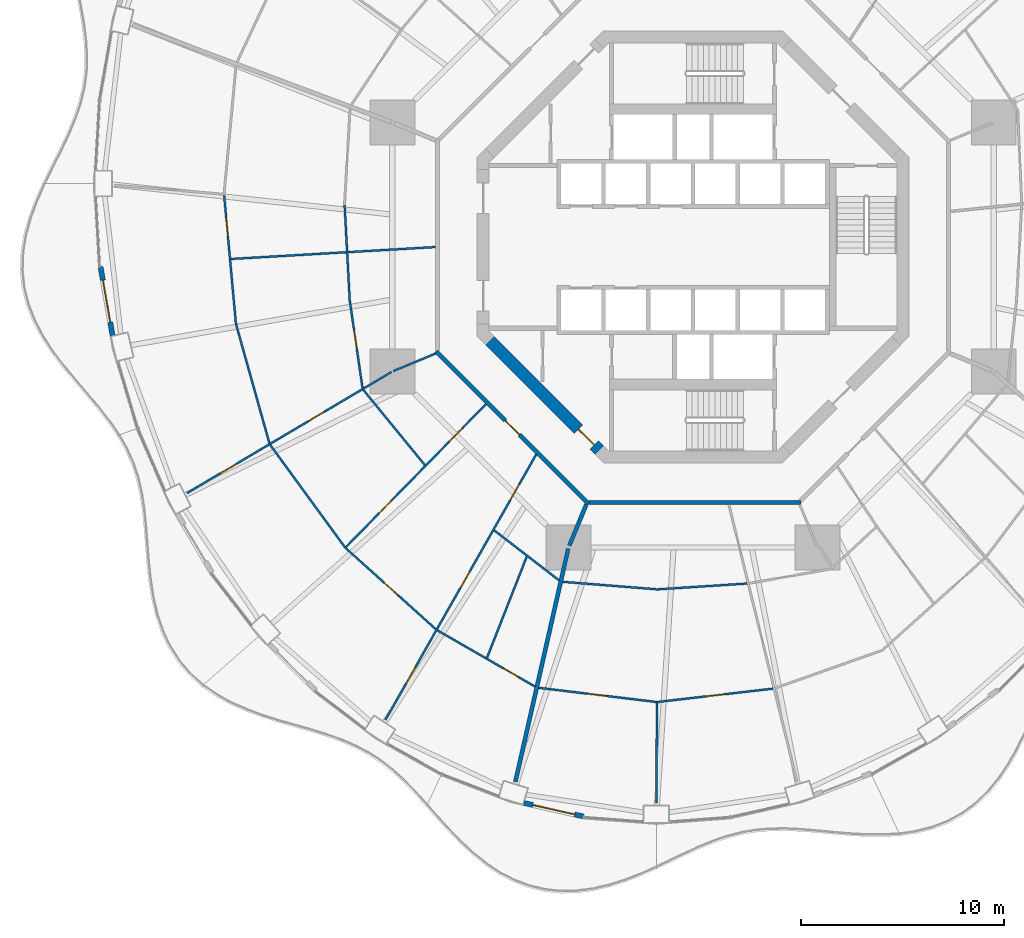
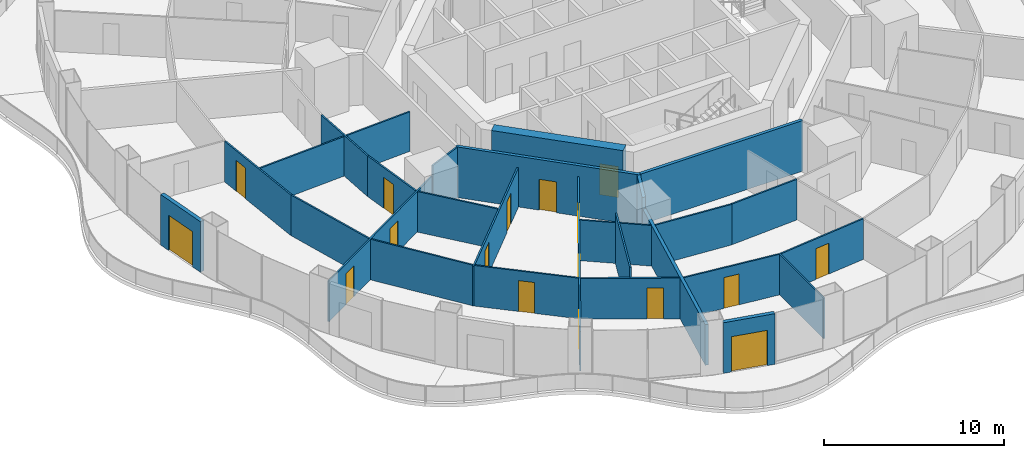
# One storey, part 14 of 22: 27 walls, 17 doors, 17 openings.
"""IFC4 building model written with IfcOpenShell, lengths in metres."""

from ifc_helpers import new_model, si_unit, direction, frame, frame_2d, origin, place, context, subcontext, project, spatial, rectangle, extrude, material, layer, layer_set, type_object, element, fill, save


model = new_model("IFC4")

# Units and contexts
model_context = context("Model", 3, precision=1e-05, world=origin(), true_north=direction((0.0, 1.0)))
body_context = subcontext(model_context, "Body", "Model", "MODEL_VIEW")
ifc_project = project(units=[si_unit("LENGTHUNIT", "METRE"), si_unit("AREAUNIT", "SQUARE_METRE"), si_unit("VOLUMEUNIT", "CUBIC_METRE"), si_unit("PLANEANGLEUNIT", "RADIAN"), si_unit("MASSUNIT", "GRAM", prefix="KILO")], contexts=[model_context])

# Site, building, storey
site_placement = place(None, origin())
site = spatial("IfcSite", under=ifc_project, at=site_placement, CompositionType="ELEMENT")
building_placement = place(site_placement, origin())
building = spatial("IfcBuilding", under=site, at=building_placement, Name="Nagisa Residences", CompositionType="ELEMENT")
storey_placement = place(building_placement, frame((0.0, 0.0, 95.5)))
storey = spatial("IfcBuildingStorey", under=building, at=storey_placement, Name="L23", CompositionType="ELEMENT", Elevation=95.5)

# Walls
ifc_material_1 = material(Name="Gypsum board on steel studs", Category="steel")
ifc_layer_1 = layer(ifc_material_1, 0.199951171875)
ifc_layer_set_1 = layer_set([ifc_layer_1], Name="Apartment compartment wall EI60 200")
wall_type_1 = type_object("IfcWallType", Name="Apartment compartment wall EI60 200", PredefinedType="PARTITIONING", material=ifc_layer_set_1)
wall_1_placement = place(storey_placement, frame((-5.24267578125, -12.6572265625, 0.0), z_axis=(0.0, 0.0, 1.0), x_axis=(-0.382668627144, -0.923885664896, 0.0)))
element("IfcWall", 1, at=wall_1_placement, inside=storey, type_object=wall_type_1, Name="wall:L23:u06", PredefinedType="PARTITIONING", context=body_context, shape_type="SweptSolid", body=[
    extrude(rectangle(XDim=2.200439453125, YDim=0.199951171875, at=frame_2d((1.10009765625, 0.0))), origin(), (0.0, 0.0, 1.0), 3.43994140625),
])
wall_2_placement = place(storey_placement, frame((-6.134033203125, -14.830810546875, 0.0), z_axis=(0.0, 0.0, 1.0), x_axis=(-0.221225405869, -0.975222702667, 0.0)))
element("IfcWall", 2, at=wall_2_placement, inside=storey, type_object=wall_type_1, Name="wall:L23:u07", PredefinedType="PARTITIONING", context=body_context, shape_type="SweptSolid", body=[
    extrude(rectangle(XDim=11.760986328125, YDim=0.199951171875, at=frame_2d((5.88037109375, 0.0))), origin(), (0.0, 0.0, 1.0), 2.761962890625),
])

# Wall, opening, door
ifc_material_2 = material(Name="Gypsum board on steel studs", Category="steel")
ifc_layer_2 = layer(ifc_material_2, 0.199951171875)
ifc_layer_set_2 = layer_set([ifc_layer_2], Name="Apartment entry wall EI60 200")
wall_type_2 = type_object("IfcWallType", Name="Apartment entry wall EI60 200", PredefinedType="PARTITIONING", material=ifc_layer_set_2)
wall_3_placement = place(storey_placement, frame((-12.635498046875, -5.1337890625, 0.0), z_axis=(0.0, 0.0, 1.0), x_axis=(0.707106781187, -0.707106781187, 0.0)))
wall_3 = element("IfcWall", 3, at=wall_3_placement, inside=storey, type_object=wall_type_2, Name="wall:L23:u15", PredefinedType="PARTITIONING", context=body_context, shape_type="SweptSolid", body=[
    extrude(rectangle(XDim=10.609130859375, YDim=0.199951171875, at=frame_2d((5.3046875, 0.0))), origin(), (0.0, 0.0, 1.0), 3.43994140625),
])
opening_1_placement = place(wall_3_placement, frame((4.804443359375, 0.0, 0.0)))
opening_1 = element("IfcOpeningElement", 4, at=opening_1_placement, cuts=wall_3, Name="Opening L23-U01", PredefinedType="OPENING", context=body_context, shape_type="SweptSolid", body=[
    extrude(rectangle(XDim=1.0, YDim=2.10009765625, at=frame_2d((0.5, 1.050048828125))), frame((0.0, 0.10986328125, 0.0), z_axis=(0.0, -1.0, 0.0), x_axis=(1.0, 0.0, 0.0)), (0.0, 0.0, 1.0), 0.219970703125),
])
ifc_material_3 = material(Name="Timber fire door set", Category="wood")
door_type_1 = type_object("IfcDoorType", Name="Apartment entry door FD30S 1000x2100", OperationType="NOTDEFINED", PredefinedType="DOOR", material=ifc_material_3)
door_1_placement = place(opening_1_placement, frame((1.0, 0.0, 0.0), x_axis=(-1.0, 0.0, 0.0)))
door_1 = element("IfcDoor", 5, at=door_1_placement, inside=storey, type_object=door_type_1, Name="Entry door, Apartment 23A", OperationType="SINGLE_SWING_RIGHT", OverallHeight=2.10009765625, OverallWidth=1.0, PredefinedType="DOOR", context=body_context, shape_type="SweptSolid", body=[
    extrude(rectangle(XDim=1.0, YDim=2.10009765625, at=frame_2d((0.5, 1.050048828125))), frame((0.0, 0.02490234375, 0.0), z_axis=(0.0, -1.0, 0.0), x_axis=(1.0, 0.0, 0.0)), (0.0, 0.0, 1.0), 0.050048828125),
])
fill(opening_1, door_1)

# Walls
wall_4_placement = place(storey_placement, frame((-5.1044921875, -12.564697265625, 0.0), z_axis=(0.0, 0.0, 1.0), x_axis=(1.0, 0.0, 0.0)))
element("IfcWall", 6, at=wall_4_placement, inside=storey, type_object=wall_type_2, Name="wall:L23:u16", PredefinedType="PARTITIONING", context=body_context, shape_type="SweptSolid", body=[
    extrude(rectangle(XDim=10.408935546875, YDim=0.199951171875, at=frame_2d((5.20458984375, 0.0))), origin(), (0.0, 0.0, 1.0), 3.43994140625),
])
ifc_material_4 = material(Name="Gypsum board on steel studs", Category="steel")
ifc_layer_3 = layer(ifc_material_4, 0.10009765625)
ifc_layer_set_3 = layer_set([ifc_layer_3], Name="Apartment partition 100")
wall_type_3 = type_object("IfcWallType", Name="Apartment partition 100", PredefinedType="PARTITIONING", material=ifc_layer_set_3)
wall_5_placement = place(storey_placement, frame((-17.13330078125, 2.058349609375, 0.0), z_axis=(0.0, 0.0, 1.0), x_axis=(0.053747728717, -0.99855454616, 0.0)))
element("IfcWall", 7, at=wall_5_placement, inside=storey, type_object=wall_type_3, Name="wall:L23:u56", PredefinedType="PARTITIONING", context=body_context, shape_type="SweptSolid", body=[
    extrude(rectangle(XDim=4.7421875, YDim=0.10009765625, at=frame_2d((2.37109375, 0.0))), origin(), (0.0, 0.0, 1.0), 2.761962890625),
])

# Wall, opening, door
wall_6_placement = place(storey_placement, frame((-23.056884765625, 2.54248046875, 0.0), z_axis=(0.0, 0.0, 1.0), x_axis=(0.091364304609, -0.995817535417, 0.0)))
wall_6 = element("IfcWall", 8, at=wall_6_placement, inside=storey, type_object=wall_type_3, Name="wall:L23:u58", PredefinedType="PARTITIONING", context=body_context, shape_type="SweptSolid", body=[
    extrude(rectangle(XDim=6.402587890625, YDim=0.10009765625, at=frame_2d((3.201171875, 0.0))), origin(), (0.0, 0.0, 1.0), 2.761962890625),
])
opening_2_placement = place(wall_6_placement, frame((1.12548828125, 0.0, 0.0)))
opening_2 = element("IfcOpeningElement", 9, at=opening_2_placement, cuts=wall_6, Name="Opening L23-U12", PredefinedType="OPENING", context=body_context, shape_type="SweptSolid", body=[
    extrude(rectangle(XDim=0.89990234375, YDim=2.10009765625, at=frame_2d((0.449951171875, 1.050048828125))), frame((0.0, 0.06005859375, 0.0), z_axis=(0.0, -1.0, 0.0), x_axis=(1.0, 0.0, 0.0)), (0.0, 0.0, 1.0), 0.1201171875),
])
ifc_material_5 = material(Name="Timber door set", Category="wood")
door_type_2 = type_object("IfcDoorType", Name="Apartment door 900x2100", OperationType="NOTDEFINED", PredefinedType="DOOR", material=ifc_material_5)
door_2_placement = place(opening_2_placement, origin())
door_2 = element("IfcDoor", 10, at=door_2_placement, inside=storey, type_object=door_type_2, Name="Door to dining room, Apartment 23A", OperationType="SINGLE_SWING_RIGHT", OverallHeight=2.10009765625, OverallWidth=0.89990234375, PredefinedType="DOOR", context=body_context, shape_type="SweptSolid", body=[
    extrude(rectangle(XDim=0.89990234375, YDim=2.10009765625, at=frame_2d((0.449951171875, 1.050048828125))), frame((0.0, 0.02490234375, 0.0), z_axis=(0.0, -1.0, 0.0), x_axis=(1.0, 0.0, 0.0)), (0.0, 0.0, 1.0), 0.050048828125),
])
fill(opening_2, door_2)

# Wall
wall_7_placement = place(storey_placement, frame((-12.66455078125, -0.005859375, 0.0), z_axis=(0.0, 0.0, 1.0), x_axis=(-0.998300603128, -0.058274400843, 0.0)))
element("IfcWall", 11, at=wall_7_placement, inside=storey, type_object=wall_type_3, Name="wall:L23:u59", PredefinedType="PARTITIONING", context=body_context, shape_type="SweptSolid", body=[
    extrude(rectangle(XDim=10.071533203125, YDim=0.10009765625, at=frame_2d((5.03564453125, 0.0))), origin(), (0.0, 0.0, 1.0), 2.68701171875),
])

# Wall, opening, door
wall_8_placement = place(storey_placement, frame((-16.8740234375, -2.676513671875, 0.0), z_axis=(0.0, 0.0, 1.0), x_axis=(0.144260658133, -0.989539722555, 0.0)))
wall_8 = element("IfcWall", 12, at=wall_8_placement, inside=storey, type_object=wall_type_3, Name="wall:L23:u60", PredefinedType="PARTITIONING", context=body_context, shape_type="SweptSolid", body=[
    extrude(rectangle(XDim=4.308837890625, YDim=0.10009765625, at=frame_2d((2.154296875, 0.0))), origin(), (0.0, 0.0, 1.0), 2.761962890625),
])
opening_3_placement = place(wall_8_placement, frame((1.43359375, 0.0, 0.0)))
opening_3 = element("IfcOpeningElement", 13, at=opening_3_placement, cuts=wall_8, Name="Opening L23-U11", PredefinedType="OPENING", context=body_context, shape_type="SweptSolid", body=[
    extrude(rectangle(XDim=0.89990234375, YDim=2.10009765625, at=frame_2d((0.449951171875, 1.050048828125))), frame((0.0, 0.06005859375, 0.0), z_axis=(0.0, -1.0, 0.0), x_axis=(1.0, 0.0, 0.0)), (0.0, 0.0, 1.0), 0.1201171875),
])
door_3_placement = place(opening_3_placement, origin())
door_3 = element("IfcDoor", 14, at=door_3_placement, inside=storey, type_object=door_type_2, Name="Door to store, Apartment 23A", OperationType="SINGLE_SWING_LEFT", OverallHeight=2.10009765625, OverallWidth=0.89990234375, PredefinedType="DOOR", context=body_context, shape_type="SweptSolid", body=[
    extrude(rectangle(XDim=0.89990234375, YDim=2.10009765625, at=frame_2d((0.449951171875, 1.050048828125))), frame((0.0, 0.02490234375, 0.0), z_axis=(0.0, -1.0, 0.0), x_axis=(1.0, 0.0, 0.0)), (0.0, 0.0, 1.0), 0.050048828125),
])
fill(opening_3, door_3)

# Walls
wall_9_placement = place(storey_placement, frame((-22.462890625, -3.83154296875, 0.0), z_axis=(0.0, 0.0, 1.0), x_axis=(0.269797759333, -0.962917010473, 0.0)))
element("IfcWall", 15, at=wall_9_placement, inside=storey, type_object=wall_type_3, Name="wall:L23:u61", PredefinedType="PARTITIONING", context=body_context, shape_type="SweptSolid", body=[
    extrude(rectangle(XDim=6.04296875, YDim=0.10009765625, at=frame_2d((3.021484375, 0.0))), origin(), (0.0, 0.0, 1.0), 2.761962890625),
])
wall_10_placement = place(storey_placement, frame((-12.6572265625, -5.24267578125, 0.0), z_axis=(0.0, 0.0, 1.0), x_axis=(-0.923848837015, -0.382757529444, 0.0)))
element("IfcWall", 16, at=wall_10_placement, inside=storey, type_object=wall_type_3, Name="wall:L23:u62", PredefinedType="PARTITIONING", context=body_context, shape_type="SweptSolid", body=[
    extrude(rectangle(XDim=2.249755859375, YDim=0.10009765625, at=frame_2d((1.125, 0.0))), origin(), (0.0, 0.0, 1.0), 3.43994140625),
])

# Wall, openings, doors
wall_11_placement = place(storey_placement, frame((-14.824951171875, -6.1484375, 0.0), z_axis=(0.0, 0.0, 1.0), x_axis=(-0.860400431487, -0.509618580408, 0.0)))
wall_11 = element("IfcWall", 17, at=wall_11_placement, inside=storey, type_object=wall_type_3, Name="wall:L23:u63", PredefinedType="PARTITIONING", context=body_context, shape_type="SweptSolid", body=[
    extrude(rectangle(XDim=11.687744140625, YDim=0.10009765625, at=frame_2d((5.84375, 0.0))), origin(), (0.0, 0.0, 1.0), 2.761962890625),
])
opening_4_placement = place(wall_11_placement, frame((3.8583984375, 0.0, 0.0)))
opening_4 = element("IfcOpeningElement", 18, at=opening_4_placement, cuts=wall_11, Name="Opening L23-U08", PredefinedType="OPENING", context=body_context, shape_type="SweptSolid", body=[
    extrude(rectangle(XDim=0.89990234375, YDim=2.10009765625, at=frame_2d((0.449951171875, 1.050048828125))), frame((0.0, 0.06005859375, 0.0), z_axis=(0.0, -1.0, 0.0), x_axis=(1.0, 0.0, 0.0)), (0.0, 0.0, 1.0), 0.1201171875),
])
opening_5_placement = place(wall_11_placement, frame((8.876953125, 0.0, 0.0)))
opening_5 = element("IfcOpeningElement", 19, at=opening_5_placement, cuts=wall_11, Name="Opening L23-U10", PredefinedType="OPENING", context=body_context, shape_type="SweptSolid", body=[
    extrude(rectangle(XDim=0.89990234375, YDim=2.10009765625, at=frame_2d((0.449951171875, 1.050048828125))), frame((0.0, 0.06005859375, 0.0), z_axis=(0.0, -1.0, 0.0), x_axis=(1.0, 0.0, 0.0)), (0.0, 0.0, 1.0), 0.1201171875),
])
door_4_placement = place(opening_4_placement, frame((0.89990234375, 0.0, 0.0), x_axis=(-1.0, 0.0, 0.0)))
door_4 = element("IfcDoor", 20, at=door_4_placement, inside=storey, type_object=door_type_2, Name="Door to kitchen, Apartment 23A", OperationType="SINGLE_SWING_LEFT", OverallHeight=2.10009765625, OverallWidth=0.89990234375, PredefinedType="DOOR", context=body_context, shape_type="SweptSolid", body=[
    extrude(rectangle(XDim=0.89990234375, YDim=2.10009765625, at=frame_2d((0.449951171875, 1.050048828125))), frame((0.0, 0.02490234375, 0.0), z_axis=(0.0, -1.0, 0.0), x_axis=(1.0, 0.0, 0.0)), (0.0, 0.0, 1.0), 0.050048828125),
])
fill(opening_4, door_4)
door_5_placement = place(opening_5_placement, frame((0.89990234375, 0.0, 0.0), x_axis=(-1.0, 0.0, 0.0)))
door_5 = element("IfcDoor", 21, at=door_5_placement, inside=storey, type_object=door_type_2, Name="Door to living room, Apartment 23A", OperationType="SINGLE_SWING_LEFT", OverallHeight=2.10009765625, OverallWidth=0.89990234375, PredefinedType="DOOR", context=body_context, shape_type="SweptSolid", body=[
    extrude(rectangle(XDim=0.89990234375, YDim=2.10009765625, at=frame_2d((0.449951171875, 1.050048828125))), frame((0.0, 0.02490234375, 0.0), z_axis=(0.0, -1.0, 0.0), x_axis=(1.0, 0.0, 0.0)), (0.0, 0.0, 1.0), 0.050048828125),
])
fill(opening_5, door_5)

# Walls
wall_12_placement = place(storey_placement, frame((-16.213623046875, -7.0283203125, 0.0), z_axis=(0.0, 0.0, 1.0), x_axis=(0.633396341139, -0.773827548639, 0.0)))
element("IfcWall", 22, at=wall_12_placement, inside=storey, type_object=wall_type_3, Name="wall:L23:u64", PredefinedType="PARTITIONING", context=body_context, shape_type="SweptSolid", body=[
    extrude(rectangle(XDim=4.779052734375, YDim=0.10009765625, at=frame_2d((2.3896484375, 0.0))), origin(), (0.0, 0.0, 1.0), 2.761962890625),
])
wall_13_placement = place(storey_placement, frame((-20.78955078125, -9.739013671875, 0.0), z_axis=(0.0, 0.0, 1.0), x_axis=(0.589611246748, -0.807687178126, 0.0)))
element("IfcWall", 23, at=wall_13_placement, inside=storey, type_object=wall_type_3, Name="wall:L23:u65", PredefinedType="PARTITIONING", context=body_context, shape_type="SweptSolid", body=[
    extrude(rectangle(XDim=6.207763671875, YDim=0.10009765625, at=frame_2d((3.10400390625, 0.0))), origin(), (0.0, 0.0, 1.0), 2.761962890625),
])

# Wall, openings, doors
wall_14_placement = place(storey_placement, frame((-10.181396484375, -7.729248046875, 0.0), z_axis=(0.0, 0.0, 1.0), x_axis=(-0.699710752188, -0.714426247609, 0.0)))
wall_14 = element("IfcWall", 24, at=wall_14_placement, inside=storey, type_object=wall_type_3, Name="wall:L23:u66", PredefinedType="PARTITIONING", context=body_context, shape_type="SweptSolid", body=[
    extrude(rectangle(XDim=9.937744140625, YDim=0.10009765625, at=frame_2d((4.96875, 0.0))), origin(), (0.0, 0.0, 1.0), 2.68701171875),
])
opening_6_placement = place(wall_14_placement, frame((1.6748046875, 0.0, 0.0)))
opening_6 = element("IfcOpeningElement", 25, at=opening_6_placement, cuts=wall_14, Name="Opening L23-U02", PredefinedType="OPENING", context=body_context, shape_type="SweptSolid", body=[
    extrude(rectangle(XDim=0.89990234375, YDim=2.10009765625, at=frame_2d((0.449951171875, 1.050048828125))), frame((0.0, 0.06005859375, 0.0), z_axis=(0.0, -1.0, 0.0), x_axis=(1.0, 0.0, 0.0)), (0.0, 0.0, 1.0), 0.1201171875),
])
opening_7_placement = place(wall_14_placement, frame((6.61865234375, 0.0, 0.0)))
opening_7 = element("IfcOpeningElement", 26, at=opening_7_placement, cuts=wall_14, Name="Opening L23-U04", PredefinedType="OPENING", context=body_context, shape_type="SweptSolid", body=[
    extrude(rectangle(XDim=0.89990234375, YDim=2.10009765625, at=frame_2d((0.449951171875, 1.050048828125))), frame((0.0, 0.06005859375, 0.0), z_axis=(0.0, -1.0, 0.0), x_axis=(1.0, 0.0, 0.0)), (0.0, 0.0, 1.0), 0.1201171875),
])
door_6_placement = place(opening_6_placement, frame((0.89990234375, 0.0, 0.0), x_axis=(-1.0, 0.0, 0.0)))
door_6 = element("IfcDoor", 27, at=door_6_placement, inside=storey, type_object=door_type_2, Name="Door to family bathroom, Apartment 23A", OperationType="SINGLE_SWING_LEFT", OverallHeight=2.10009765625, OverallWidth=0.89990234375, PredefinedType="DOOR", context=body_context, shape_type="SweptSolid", body=[
    extrude(rectangle(XDim=0.89990234375, YDim=2.10009765625, at=frame_2d((0.449951171875, 1.050048828125))), frame((0.0, 0.02490234375, 0.0), z_axis=(0.0, -1.0, 0.0), x_axis=(1.0, 0.0, 0.0)), (0.0, 0.0, 1.0), 0.050048828125),
])
fill(opening_6, door_6)
door_7_placement = place(opening_7_placement, frame((0.89990234375, 0.0, 0.0), x_axis=(-1.0, 0.0, 0.0)))
door_7 = element("IfcDoor", 28, at=door_7_placement, inside=storey, type_object=door_type_2, Name="Door to study, Apartment 23A", OperationType="SINGLE_SWING_LEFT", OverallHeight=2.10009765625, OverallWidth=0.89990234375, PredefinedType="DOOR", context=body_context, shape_type="SweptSolid", body=[
    extrude(rectangle(XDim=0.89990234375, YDim=2.10009765625, at=frame_2d((0.449951171875, 1.050048828125))), frame((0.0, 0.02490234375, 0.0), z_axis=(0.0, -1.0, 0.0), x_axis=(1.0, 0.0, 0.0)), (0.0, 0.0, 1.0), 0.050048828125),
])
fill(opening_7, door_7)

# Wall, opening, door
wall_15_placement = place(storey_placement, frame((-17.062744140625, -14.826904296875, 0.0), z_axis=(0.0, 0.0, 1.0), x_axis=(0.743478142868, -0.668760234373, 0.0)))
wall_15 = element("IfcWall", 29, at=wall_15_placement, inside=storey, type_object=wall_type_3, Name="wall:L23:u67", PredefinedType="PARTITIONING", context=body_context, shape_type="SweptSolid", body=[
    extrude(rectangle(XDim=5.93701171875, YDim=0.10009765625, at=frame_2d((2.968505859375, 0.0))), origin(), (0.0, 0.0, 1.0), 2.761962890625),
])
opening_8_placement = place(wall_15_placement, frame((2.5185546875, 0.0, 0.0)))
opening_8 = element("IfcOpeningElement", 30, at=opening_8_placement, cuts=wall_15, Name="Opening L23-U06", PredefinedType="OPENING", context=body_context, shape_type="SweptSolid", body=[
    extrude(rectangle(XDim=0.89990234375, YDim=2.10009765625, at=frame_2d((0.449951171875, 1.050048828125))), frame((0.0, 0.06005859375, 0.0), z_axis=(0.0, -1.0, 0.0), x_axis=(1.0, 0.0, 0.0)), (0.0, 0.0, 1.0), 0.1201171875),
])
door_8_placement = place(opening_8_placement, frame((0.89990234375, 0.0, 0.0), x_axis=(-1.0, 0.0, 0.0)))
door_8 = element("IfcDoor", 31, at=door_8_placement, inside=storey, type_object=door_type_2, Name="Door to family room, Apartment 23A", OperationType="SINGLE_SWING_LEFT", OverallHeight=2.10009765625, OverallWidth=0.89990234375, PredefinedType="DOOR", context=body_context, shape_type="SweptSolid", body=[
    extrude(rectangle(XDim=0.89990234375, YDim=2.10009765625, at=frame_2d((0.449951171875, 1.050048828125))), frame((0.0, 0.02490234375, 0.0), z_axis=(0.0, -1.0, 0.0), x_axis=(1.0, 0.0, 0.0)), (0.0, 0.0, 1.0), 0.050048828125),
])
fill(opening_8, door_8)

# Wall, openings, doors
wall_16_placement = place(storey_placement, frame((-7.707275390625, -10.1982421875, 0.0), z_axis=(0.0, 0.0, 1.0), x_axis=(-0.49395524734, -0.869487328042, 0.0)))
wall_16 = element("IfcWall", 32, at=wall_16_placement, inside=storey, type_object=wall_type_3, Name="wall:L23:u68", PredefinedType="PARTITIONING", context=body_context, shape_type="SweptSolid", body=[
    extrude(rectangle(XDim=15.02490234375, YDim=0.10009765625, at=frame_2d((7.512451171875, 0.0))), origin(), (0.0, 0.0, 1.0), 2.68701171875),
])
opening_9_placement = place(wall_16_placement, frame((1.68359375, 0.0, 0.0)))
opening_9 = element("IfcOpeningElement", 33, at=opening_9_placement, cuts=wall_16, Name="Opening L23-U03", PredefinedType="OPENING", context=body_context, shape_type="SweptSolid", body=[
    extrude(rectangle(XDim=0.89990234375, YDim=2.10009765625, at=frame_2d((0.449951171875, 1.050048828125))), frame((0.0, 0.06005859375, 0.0), z_axis=(0.0, -1.0, 0.0), x_axis=(1.0, 0.0, 0.0)), (0.0, 0.0, 1.0), 0.1201171875),
])
opening_10_placement = place(wall_16_placement, frame((6.647705078125, 0.0, 0.0)))
opening_10 = element("IfcOpeningElement", 34, at=opening_10_placement, cuts=wall_16, Name="Opening L23-U05", PredefinedType="OPENING", context=body_context, shape_type="SweptSolid", body=[
    extrude(rectangle(XDim=0.89990234375, YDim=2.10009765625, at=frame_2d((0.449951171875, 1.050048828125))), frame((0.0, 0.06005859375, 0.0), z_axis=(0.0, -1.0, 0.0), x_axis=(1.0, 0.0, 0.0)), (0.0, 0.0, 1.0), 0.1201171875),
])
opening_11_placement = place(wall_16_placement, frame((12.026611328125, 0.0, 0.0)))
opening_11 = element("IfcOpeningElement", 35, at=opening_11_placement, cuts=wall_16, Name="Opening L23-U07", PredefinedType="OPENING", context=body_context, shape_type="SweptSolid", body=[
    extrude(rectangle(XDim=0.89990234375, YDim=2.10009765625, at=frame_2d((0.449951171875, 1.050048828125))), frame((0.0, 0.06005859375, 0.0), z_axis=(0.0, -1.0, 0.0), x_axis=(1.0, 0.0, 0.0)), (0.0, 0.0, 1.0), 0.1201171875),
])
door_9_placement = place(opening_9_placement, origin())
door_9 = element("IfcDoor", 36, at=door_9_placement, inside=storey, type_object=door_type_2, Name="Door to family bathroom, Apartment 23A", OperationType="SINGLE_SWING_LEFT", OverallHeight=2.10009765625, OverallWidth=0.89990234375, PredefinedType="DOOR", context=body_context, shape_type="SweptSolid", body=[
    extrude(rectangle(XDim=0.89990234375, YDim=2.10009765625, at=frame_2d((0.449951171875, 1.050048828125))), frame((0.0, 0.02490234375, 0.0), z_axis=(0.0, -1.0, 0.0), x_axis=(1.0, 0.0, 0.0)), (0.0, 0.0, 1.0), 0.050048828125),
])
fill(opening_9, door_9)
door_10_placement = place(opening_10_placement, origin())
door_10 = element("IfcDoor", 37, at=door_10_placement, inside=storey, type_object=door_type_2, Name="Door to family bathroom, Apartment 23A", OperationType="SINGLE_SWING_LEFT", OverallHeight=2.10009765625, OverallWidth=0.89990234375, PredefinedType="DOOR", context=body_context, shape_type="SweptSolid", body=[
    extrude(rectangle(XDim=0.89990234375, YDim=2.10009765625, at=frame_2d((0.449951171875, 1.050048828125))), frame((0.0, 0.02490234375, 0.0), z_axis=(0.0, -1.0, 0.0), x_axis=(1.0, 0.0, 0.0)), (0.0, 0.0, 1.0), 0.050048828125),
])
fill(opening_10, door_10)
door_11_placement = place(opening_11_placement, origin())
door_11 = element("IfcDoor", 38, at=door_11_placement, inside=storey, type_object=door_type_2, Name="Door to master bedroom, Apartment 23A", OperationType="SINGLE_SWING_LEFT", OverallHeight=2.10009765625, OverallWidth=0.89990234375, PredefinedType="DOOR", context=body_context, shape_type="SweptSolid", body=[
    extrude(rectangle(XDim=0.89990234375, YDim=2.10009765625, at=frame_2d((0.449951171875, 1.050048828125))), frame((0.0, 0.02490234375, 0.0), z_axis=(0.0, -1.0, 0.0), x_axis=(1.0, 0.0, 0.0)), (0.0, 0.0, 1.0), 0.050048828125),
])
fill(opening_11, door_11)

# Wall
wall_17_placement = place(storey_placement, frame((-9.775390625, -13.93896484375, 0.0), z_axis=(0.0, 0.0, 1.0), x_axis=(0.792162117554, -0.610310723741, 0.0)))
element("IfcWall", 39, at=wall_17_placement, inside=storey, type_object=wall_type_3, Name="wall:L23:u69", PredefinedType="PARTITIONING", context=body_context, shape_type="SweptSolid", body=[
    extrude(rectangle(XDim=4.0302734375, YDim=0.10009765625, at=frame_2d((2.01513671875, 0.0))), origin(), (0.0, 0.0, 1.0), 2.761962890625),
])

# Wall, opening, door
wall_18_placement = place(storey_placement, frame((-12.568115234375, -18.855712890625, 0.0), z_axis=(0.0, 0.0, 1.0), x_axis=(0.866533437451, -0.499119025664, 0.0)))
wall_18 = element("IfcWall", 40, at=wall_18_placement, inside=storey, type_object=wall_type_3, Name="wall:L23:u70", PredefinedType="PARTITIONING", context=body_context, shape_type="SweptSolid", body=[
    extrude(rectangle(XDim=5.53515625, YDim=0.10009765625, at=frame_2d((2.767578125, 0.0))), origin(), (0.0, 0.0, 1.0), 2.761962890625),
])
opening_12_placement = place(wall_18_placement, frame((3.7138671875, 0.0, 0.0)))
opening_12 = element("IfcOpeningElement", 41, at=opening_12_placement, cuts=wall_18, Name="Opening L23-U09", PredefinedType="OPENING", context=body_context, shape_type="SweptSolid", body=[
    extrude(rectangle(XDim=0.89990234375, YDim=2.10009765625, at=frame_2d((0.449951171875, 1.050048828125))), frame((0.0, 0.06005859375, 0.0), z_axis=(0.0, -1.0, 0.0), x_axis=(1.0, 0.0, 0.0)), (0.0, 0.0, 1.0), 0.1201171875),
])
door_12_placement = place(opening_12_placement, origin())
door_12 = element("IfcDoor", 42, at=door_12_placement, inside=storey, type_object=door_type_2, Name="Door to en-suite bathroom, Apartment 23A", OperationType="SINGLE_SWING_LEFT", OverallHeight=2.10009765625, OverallWidth=0.89990234375, PredefinedType="DOOR", context=body_context, shape_type="SweptSolid", body=[
    extrude(rectangle(XDim=0.89990234375, YDim=2.10009765625, at=frame_2d((0.449951171875, 1.050048828125))), frame((0.0, 0.02490234375, 0.0), z_axis=(0.0, -1.0, 0.0), x_axis=(1.0, 0.0, 0.0)), (0.0, 0.0, 1.0), 0.050048828125),
])
fill(opening_12, door_12)

# Walls
wall_19_placement = place(storey_placement, frame((-8.177490234375, -15.230712890625, 0.0), z_axis=(0.0, 0.0, 1.0), x_axis=(-0.365520869553, -0.930803144559, 0.0)))
element("IfcWall", 43, at=wall_19_placement, inside=storey, type_object=wall_type_3, Name="wall:L23:u71", PredefinedType="PARTITIONING", context=body_context, shape_type="SweptSolid", body=[
    extrude(rectangle(XDim=5.342041015625, YDim=0.10009765625, at=frame_2d((2.6708984375, 0.0))), origin(), (0.0, 0.0, 1.0), 3.43994140625),
])
wall_20_placement = place(storey_placement, frame((-6.40380859375, -16.467529296875, 0.0), z_axis=(0.0, 0.0, 1.0), x_axis=(0.996817253426, -0.079720532316, 0.0)))
element("IfcWall", 44, at=wall_20_placement, inside=storey, type_object=wall_type_3, Name="wall:L23:u72", PredefinedType="PARTITIONING", context=body_context, shape_type="SweptSolid", body=[
    extrude(rectangle(XDim=4.716064453125, YDim=0.10009765625, at=frame_2d((2.35791015625, 0.0))), origin(), (0.0, 0.0, 1.0), 2.761962890625),
])

# Wall, opening, door
wall_21_placement = place(storey_placement, frame((-7.5859375, -21.680419921875, 0.0), z_axis=(0.0, 0.0, 1.0), x_axis=(0.992810189026, -0.119699325668, 0.0)))
wall_21 = element("IfcWall", 45, at=wall_21_placement, inside=storey, type_object=wall_type_3, Name="wall:L23:u73", PredefinedType="PARTITIONING", context=body_context, shape_type="SweptSolid", body=[
    extrude(rectangle(XDim=5.802734375, YDim=0.10009765625, at=frame_2d((2.9013671875, 0.0))), origin(), (0.0, 0.0, 1.0), 2.761962890625),
])
opening_13_placement = place(wall_21_placement, frame((2.451416015625, 0.0, 0.0)))
opening_13 = element("IfcOpeningElement", 46, at=opening_13_placement, cuts=wall_21, Name="Opening L23-U25", PredefinedType="OPENING", context=body_context, shape_type="SweptSolid", body=[
    extrude(rectangle(XDim=0.89990234375, YDim=2.10009765625, at=frame_2d((0.449951171875, 1.050048828125))), frame((0.0, 0.06005859375, 0.0), z_axis=(0.0, -1.0, 0.0), x_axis=(1.0, 0.0, 0.0)), (0.0, 0.0, 1.0), 0.1201171875),
])
door_13_placement = place(opening_13_placement, frame((0.89990234375, 0.0, 0.0), x_axis=(-1.0, 0.0, 0.0)))
door_13 = element("IfcDoor", 47, at=door_13_placement, inside=storey, type_object=door_type_2, Name="Door to master bedroom, Apartment 23B", OperationType="SINGLE_SWING_RIGHT", OverallHeight=2.10009765625, OverallWidth=0.89990234375, PredefinedType="DOOR", context=body_context, shape_type="SweptSolid", body=[
    extrude(rectangle(XDim=0.89990234375, YDim=2.10009765625, at=frame_2d((0.449951171875, 1.050048828125))), frame((0.0, 0.02490234375, 0.0), z_axis=(0.0, -1.0, 0.0), x_axis=(1.0, 0.0, 0.0)), (0.0, 0.0, 1.0), 0.050048828125),
])
fill(opening_13, door_13)

# Walls
wall_22_placement = place(storey_placement, frame((-1.70263671875, -16.83642578125, 0.0), z_axis=(0.0, 0.0, 1.0), x_axis=(0.997897941075, 0.064805086209, 0.0)))
element("IfcWall", 48, at=wall_22_placement, inside=storey, type_object=wall_type_3, Name="wall:L23:u74", PredefinedType="PARTITIONING", context=body_context, shape_type="SweptSolid", body=[
    extrude(rectangle(XDim=4.377685546875, YDim=0.10009765625, at=frame_2d((2.18896484375, 0.0))), origin(), (0.0, 0.0, 1.0), 2.761962890625),
])
wall_23_placement = place(storey_placement, frame((-1.775146484375, -22.3310546875, 0.0), z_axis=(0.0, 0.0, 1.0), x_axis=(-0.004088153894, -0.999991643464, 0.0)))
element("IfcWall", 49, at=wall_23_placement, inside=storey, type_object=wall_type_3, Name="wall:L23:u75", PredefinedType="PARTITIONING", context=body_context, shape_type="SweptSolid", body=[
    extrude(rectangle(XDim=5.016357421875, YDim=0.10009765625, at=frame_2d((2.50830078125, 0.0))), origin(), (0.0, 0.0, 1.0), 2.761962890625),
])

# Wall, opening, door
wall_24_placement = place(storey_placement, frame((-1.7255859375, -22.375244140625, 0.0), z_axis=(0.0, 0.0, 1.0), x_axis=(0.99339223329, 0.114768771187, 0.0)))
wall_24 = element("IfcWall", 50, at=wall_24_placement, inside=storey, type_object=wall_type_3, Name="wall:L23:u76", PredefinedType="PARTITIONING", context=body_context, shape_type="SweptSolid", body=[
    extrude(rectangle(XDim=5.700927734375, YDim=0.10009765625, at=frame_2d((2.8505859375, 0.0))), origin(), (0.0, 0.0, 1.0), 2.761962890625),
])
opening_14_placement = place(wall_24_placement, frame((2.400390625, 0.0, 0.0)))
opening_14 = element("IfcOpeningElement", 51, at=opening_14_placement, cuts=wall_24, Name="Opening L23-U26", PredefinedType="OPENING", context=body_context, shape_type="SweptSolid", body=[
    extrude(rectangle(XDim=0.89990234375, YDim=2.10009765625, at=frame_2d((0.449951171875, 1.050048828125))), frame((0.0, 0.06005859375, 0.0), z_axis=(0.0, -1.0, 0.0), x_axis=(1.0, 0.0, 0.0)), (0.0, 0.0, 1.0), 0.1201171875),
])
door_14_placement = place(opening_14_placement, frame((0.89990234375, 0.0, 0.0), x_axis=(-1.0, 0.0, 0.0)))
door_14 = element("IfcDoor", 52, at=door_14_placement, inside=storey, type_object=door_type_2, Name="Door to kitchen, Apartment 23B", OperationType="SINGLE_SWING_LEFT", OverallHeight=2.10009765625, OverallWidth=0.89990234375, PredefinedType="DOOR", context=body_context, shape_type="SweptSolid", body=[
    extrude(rectangle(XDim=0.89990234375, YDim=2.10009765625, at=frame_2d((0.449951171875, 1.050048828125))), frame((0.0, 0.02490234375, 0.0), z_axis=(0.0, -1.0, 0.0), x_axis=(1.0, 0.0, 0.0)), (0.0, 0.0, 1.0), 0.050048828125),
])
fill(opening_14, door_14)

ifc_material_6 = material(Name="Precast concrete C40/50", Category="concrete")
ifc_layer_4 = layer(ifc_material_6, 0.25)
ifc_layer_set_4 = layer_set([ifc_layer_4], Name="BALCONY DOOR WALL 250")
wall_type_4 = type_object("IfcWallType", Name="BALCONY DOOR WALL 250", PredefinedType="SOLIDWALL", material=ifc_layer_set_4)
wall_25_placement = place(storey_placement, frame((-28.5400390625, -4.377197265625, 0.0), z_axis=(0.0, 0.0, 1.0), x_axis=(-0.17223289558, 0.985056257114, 0.0)))
wall_25 = element("IfcWall", 53, at=wall_25_placement, inside=storey, type_object=wall_type_4, Name="wall:L23:bay25", PredefinedType="SOLIDWALL", context=body_context, shape_type="SweptSolid", body=[
    extrude(rectangle(XDim=3.454345703125, YDim=0.25, at=frame_2d((1.72705078125, 0.0))), origin(), (0.0, 0.0, 1.0), 3.43994140625),
])
opening_15_placement = place(wall_25_placement, frame((0.67724609375, 0.0, 0.0)))
opening_15 = element("IfcOpeningElement", 54, at=opening_15_placement, cuts=wall_25, Name="Opening BD-L23-09", PredefinedType="OPENING", context=body_context, shape_type="SweptSolid", body=[
    extrude(rectangle(XDim=2.10009765625, YDim=2.39990234375, at=frame_2d((1.050048828125, 1.199951171875))), frame((0.0, 0.135009765625, 0.0), z_axis=(0.0, -1.0, 0.0), x_axis=(1.0, 0.0, 0.0)), (0.0, 0.0, 1.0), 0.27001953125),
])
ifc_material_7 = material(Name="Aluminium and clear glass", Category="aluminium")
door_type_3 = type_object("IfcDoorType", Name="BALCONY SLIDING DOOR 2100x2400", OperationType="SLIDING_TO_LEFT", PredefinedType="DOOR", material=ifc_material_7)
door_15_placement = place(opening_15_placement, origin())
door_15 = element("IfcDoor", 55, at=door_15_placement, inside=storey, type_object=door_type_3, Name="door:L23:bay25", OperationType="SLIDING_TO_LEFT", OverallHeight=2.39990234375, OverallWidth=2.10009765625, PredefinedType="DOOR", context=body_context, shape_type="SweptSolid", body=[
    extrude(rectangle(XDim=2.10009765625, YDim=2.39990234375, at=frame_2d((1.050048828125, 1.199951171875))), frame((0.0, 0.02490234375, 0.0), z_axis=(0.0, -1.0, 0.0), x_axis=(1.0, 0.0, 0.0)), (0.0, 0.0, 1.0), 0.050048828125),
])
fill(opening_15, door_15)

wall_26_placement = place(storey_placement, frame((-5.38720703125, -28.005859375, 0.0), z_axis=(0.0, 0.0, 1.0), x_axis=(-0.975317607872, 0.220806620767, 0.0)))
wall_26 = element("IfcWall", 56, at=wall_26_placement, inside=storey, type_object=wall_type_4, Name="wall:L23:bay34", PredefinedType="SOLIDWALL", context=body_context, shape_type="SweptSolid", body=[
    extrude(rectangle(XDim=2.9931640625, YDim=0.25, at=frame_2d((1.49658203125, 0.0))), origin(), (0.0, 0.0, 1.0), 3.43994140625),
])
opening_16_placement = place(wall_26_placement, frame((0.446533203125, 0.0, 0.0)))
opening_16 = element("IfcOpeningElement", 57, at=opening_16_placement, cuts=wall_26, Name="Opening BD-L23-12", PredefinedType="OPENING", context=body_context, shape_type="SweptSolid", body=[
    extrude(rectangle(XDim=2.10009765625, YDim=2.39990234375, at=frame_2d((1.050048828125, 1.199951171875))), frame((0.0, 0.135009765625, 0.0), z_axis=(0.0, -1.0, 0.0), x_axis=(1.0, 0.0, 0.0)), (0.0, 0.0, 1.0), 0.27001953125),
])
door_16_placement = place(opening_16_placement, origin())
door_16 = element("IfcDoor", 58, at=door_16_placement, inside=storey, type_object=door_type_3, Name="door:L23:bay34", OperationType="SLIDING_TO_LEFT", OverallHeight=2.39990234375, OverallWidth=2.10009765625, PredefinedType="DOOR", context=body_context, shape_type="SweptSolid", body=[
    extrude(rectangle(XDim=2.10009765625, YDim=2.39990234375, at=frame_2d((1.050048828125, 1.199951171875))), frame((0.0, 0.02490234375, 0.0), z_axis=(0.0, -1.0, 0.0), x_axis=(1.0, 0.0, 0.0)), (0.0, 0.0, 1.0), 0.050048828125),
])
fill(opening_16, door_16)

ifc_material_8 = material(Name="Concrete C60", Category="concrete")
ifc_layer_5 = layer(ifc_material_8, 0.60009765625)
ifc_layer_set_5 = layer_set([ifc_layer_5], Name="Core shear wall 600")
wall_type_5 = type_object("IfcWallType", Name="Core shear wall 600", PredefinedType="SHEAR", material=ifc_layer_set_5)
wall_27_placement = place(storey_placement, frame((-9.98828125, -4.613037109375, 0.0), z_axis=(0.0, 0.0, 1.0), x_axis=(0.707106781187, -0.707106781187, 0.0)))
wall_27 = element("IfcWall", 59, at=wall_27_placement, inside=storey, type_object=wall_type_5, Name="wall:L23:core:flat5", PredefinedType="SHEAR", context=body_context, shape_type="SweptSolid", body=[
    extrude(rectangle(XDim=7.601806640625, YDim=0.60009765625, at=frame_2d((3.80078125, 0.0))), origin(), (0.0, 0.0, 1.0), 3.43994140625),
])
opening_17_placement = place(wall_27_placement, frame((6.15087890625, 0.0, 0.0)))
opening_17 = element("IfcOpeningElement", 60, at=opening_17_placement, cuts=wall_27, Name="Opening L23-C20", PredefinedType="OPENING", context=body_context, shape_type="SweptSolid", body=[
    extrude(rectangle(XDim=1.10009765625, YDim=2.10009765625, at=frame_2d((0.550048828125, 1.050048828125))), frame((0.0, 0.31005859375, 0.0), z_axis=(0.0, -1.0, 0.0), x_axis=(1.0, 0.0, 0.0)), (0.0, 0.0, 1.0), 0.6201171875),
])
ifc_material_9 = material(Name="Steel fire door", Category="steel")
door_type_4 = type_object("IfcDoorType", Name="Fire door EI60 1100x2100 single swing", OperationType="NOTDEFINED", PredefinedType="DOOR", material=ifc_material_9)
door_17_placement = place(opening_17_placement, origin())
door_17 = element("IfcDoor", 61, at=door_17_placement, inside=storey, type_object=door_type_4, Name="Housekeeping lobby door L23", OperationType="SINGLE_SWING_RIGHT", OverallHeight=2.10009765625, OverallWidth=1.10009765625, PredefinedType="DOOR", context=body_context, shape_type="SweptSolid", body=[
    extrude(rectangle(XDim=1.10009765625, YDim=2.10009765625, at=frame_2d((0.550048828125, 1.050048828125))), frame((0.0, 0.02490234375, 0.0), z_axis=(0.0, -1.0, 0.0), x_axis=(1.0, 0.0, 0.0)), (0.0, 0.0, 1.0), 0.050048828125),
])
fill(opening_17, door_17)

save(model, "model.ifc")
